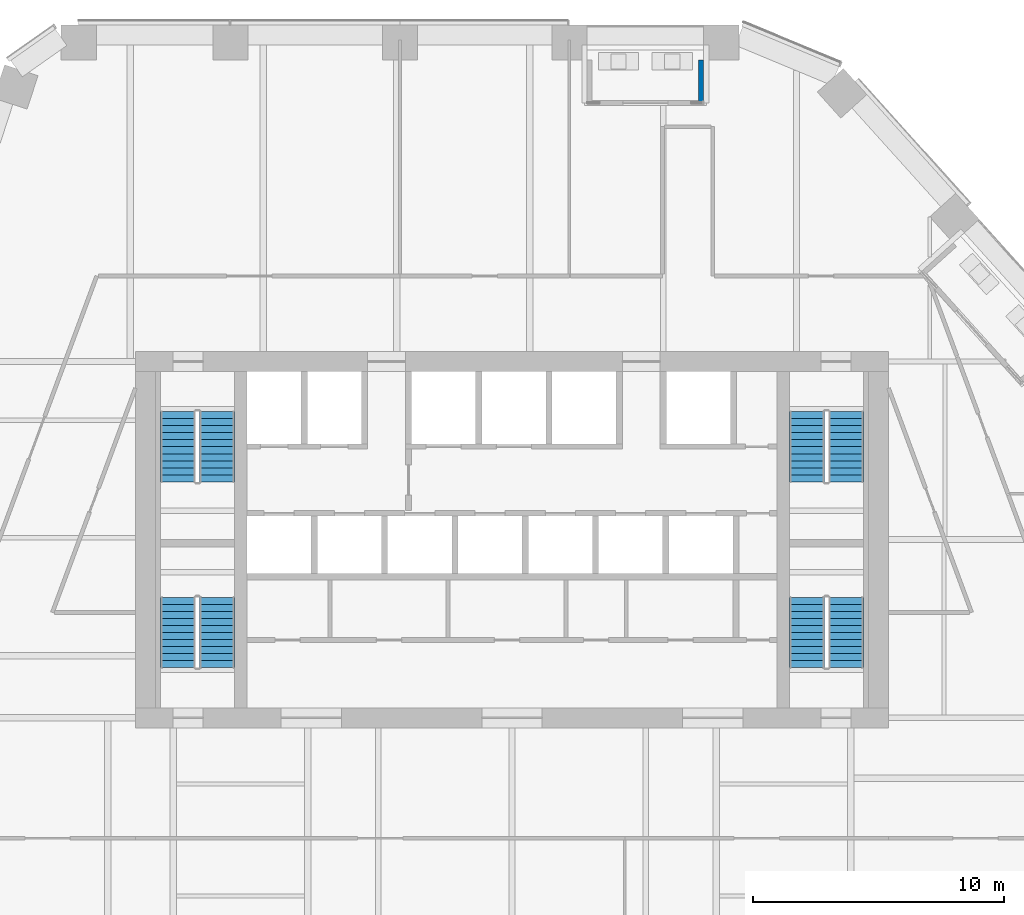
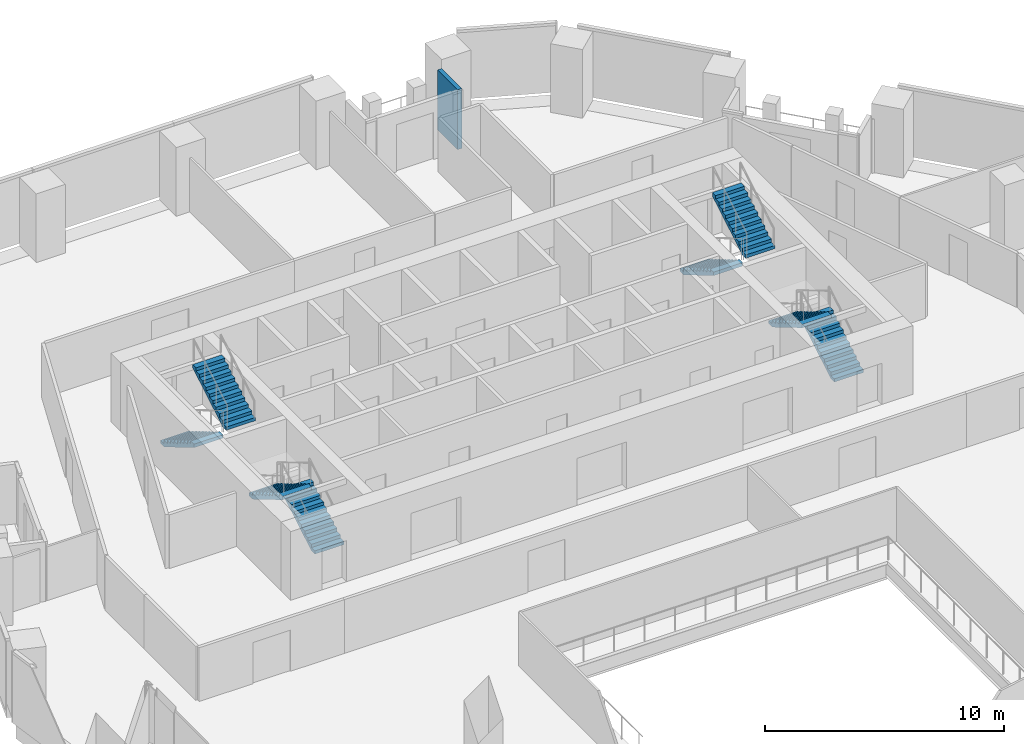
# One storey, part 20 of 24: 8 stair flights, 1 wall, 4 elements without a shape of their own.
"""IFC4 building model written with IfcOpenShell, lengths in metres."""

from ifc_helpers import new_model, si_unit, direction, frame, frame_2d, origin, place, context, subcontext, project, spatial, polyline, rectangle, outline, extrude, material, layer, layer_set, type_object, element, aggregate, save


model = new_model("IFC4")

# Units and contexts
model_context = context("Model", 3, precision=1e-05, world=origin(), true_north=direction((0.0, 1.0)))
body_context = subcontext(model_context, "Body", "Model", "MODEL_VIEW")
ifc_project = project(units=[si_unit("LENGTHUNIT", "METRE"), si_unit("AREAUNIT", "SQUARE_METRE"), si_unit("VOLUMEUNIT", "CUBIC_METRE"), si_unit("PLANEANGLEUNIT", "RADIAN"), si_unit("MASSUNIT", "GRAM", prefix="KILO")], contexts=[model_context])

# Site, building, storey
site_placement = place(None, origin())
site = spatial("IfcSite", under=ifc_project, at=site_placement, CompositionType="ELEMENT")
building_placement = place(site_placement, origin())
building = spatial("IfcBuilding", under=site, at=building_placement, Name="Isthmus Gate Tower", CompositionType="ELEMENT")
storey_placement = place(building_placement, frame((0.0, 0.0, 159.0)))
storey = spatial("IfcBuildingStorey", under=building, at=storey_placement, Name="L39", CompositionType="ELEMENT", Elevation=159.0)

# Wall
ifc_material_1 = material(Name="Precast concrete C40/50", Category="concrete")
ifc_layer = layer(ifc_material_1, 0.199951171875)
ifc_layer_set = layer_set([ifc_layer], Name="LOGGIA WALL 200")
wall_type = type_object("IfcWallType", Name="LOGGIA WALL 200", PredefinedType="SOLIDWALL", material=ifc_layer_set)
wall_placement = place(storey_placement, frame((7.53857421875, 26.60009765625, 0.0), z_axis=(0.0, 0.0, 1.0), x_axis=(0.0, -1.0, 0.0)))
element("IfcWall", 1, at=wall_placement, inside=storey, type_object=wall_type, Name="LOGGIA SIDE WALL", PredefinedType="SOLIDWALL", context=body_context, shape_type="SweptSolid", body=[
    extrude(rectangle(XDim=1.68408203125, YDim=0.199951171875, at=frame_2d((0.842041015625, 0.0))), origin(), (0.0, 0.0, 1.0), 3.050048828125),
])

# Stair, stair flights
ifc_material_2 = material(Name="Concrete f'c 40 MPa", Category="concrete")
stair_type = type_object("IfcStairType", Name="CORE STAIR 22 RISERS", PredefinedType="HALF_TURN_STAIR", material=ifc_material_2)
stair_1_placement = place(storey_placement, origin())
stair_1 = element("IfcStair", 2, at=stair_1_placement, inside=storey, type_object=stair_type, Name="L39 Exit Stair 1", PredefinedType="HALF_TURN_STAIR")
ifc_material_3 = material(Name="Concrete f'c 40 MPa", Category="concrete")
stair_flight_type = type_object("IfcStairFlightType", Name="STAIR FLIGHT RC 1400", PredefinedType="STRAIGHT", material=ifc_material_3)
stair_flight_1_placement = place(storey_placement, frame((-13.300048828125, 12.60009765625, 0.0), z_axis=(0.0, 0.0, 1.0), x_axis=(0.0, -1.0, 0.0)))
stair_flight_1 = element("IfcStairFlight", 3, at=stair_flight_1_placement, type_object=stair_flight_type, Name="ST1 flight 1", NumberOfRisers=11, NumberOfTreads=10, PredefinedType="STRAIGHT", RiserHeight=0.165909091, TreadLength=0.28, context=body_context, shape_type="SweptSolid", body=[
    extrude(outline(polyline([(0.0, 0.0), (0.0, 0.166015625), (0.280029296875, 0.166015625), (0.280029296875, 0.331787109375), (0.56005859375, 0.331787109375), (0.56005859375, 0.497802734375), (0.840087890625, 0.497802734375), (0.840087890625, 0.66357421875), (1.1201171875, 0.66357421875), (1.1201171875, 0.82958984375), (1.39990234375, 0.82958984375), (1.39990234375, 0.995361328125), (1.679931640625, 0.995361328125), (1.679931640625, 1.161376953125), (1.9599609375, 1.161376953125), (1.9599609375, 1.327392578125), (2.239990234375, 1.327392578125), (2.239990234375, 1.4931640625), (2.52001953125, 1.4931640625), (2.52001953125, 1.6591796875), (2.800048828125, 1.6591796875), (2.800048828125, 1.824951171875), (2.800048828125, 1.48486328125), (0.2939453125, 0.0), (0.0, 0.0)])), frame((0.0, 0.699951171875, 0.0), z_axis=(0.0, -1.0, 0.0), x_axis=(1.0, 0.0, 0.0)), (0.0, 0.0, 1.0), 1.39990234375),
])
stair_flight_2_placement = place(storey_placement, frame((-11.75, 9.800048828125, 1.824951171875), z_axis=(0.0, 0.0, 1.0), x_axis=(0.0, 1.0, 0.0)))
stair_flight_2 = element("IfcStairFlight", 4, at=stair_flight_2_placement, type_object=stair_flight_type, Name="ST1 flight 2", NumberOfRisers=11, NumberOfTreads=10, PredefinedType="STRAIGHT", RiserHeight=0.165909091, TreadLength=0.28, context=body_context, shape_type="SweptSolid", body=[
    extrude(outline(polyline([(0.0, 0.0), (0.0, 0.166015625), (0.280029296875, 0.166015625), (0.280029296875, 0.331787109375), (0.56005859375, 0.331787109375), (0.56005859375, 0.497802734375), (0.840087890625, 0.497802734375), (0.840087890625, 0.66357421875), (1.1201171875, 0.66357421875), (1.1201171875, 0.82958984375), (1.39990234375, 0.82958984375), (1.39990234375, 0.995361328125), (1.679931640625, 0.995361328125), (1.679931640625, 1.161376953125), (1.9599609375, 1.161376953125), (1.9599609375, 1.327392578125), (2.239990234375, 1.327392578125), (2.239990234375, 1.4931640625), (2.52001953125, 1.4931640625), (2.52001953125, 1.6591796875), (2.800048828125, 1.6591796875), (2.800048828125, 1.824951171875), (2.800048828125, 1.48486328125), (0.2939453125, 0.0), (0.0, 0.0)])), frame((0.0, 0.699951171875, 0.0), z_axis=(0.0, -1.0, 0.0), x_axis=(1.0, 0.0, 0.0)), (0.0, 0.0, 1.0), 1.39990234375),
])
aggregate(stair_1, [stair_flight_1, stair_flight_2])

stair_2_placement = place(storey_placement, origin())
stair_2 = element("IfcStair", 5, at=stair_2_placement, inside=storey, type_object=stair_type, Name="L39 Exit Stair 2", PredefinedType="HALF_TURN_STAIR")
stair_flight_3_placement = place(storey_placement, frame((11.75, 12.60009765625, 0.0), z_axis=(0.0, 0.0, 1.0), x_axis=(0.0, -1.0, 0.0)))
stair_flight_3 = element("IfcStairFlight", 6, at=stair_flight_3_placement, type_object=stair_flight_type, Name="ST2 flight 1", NumberOfRisers=11, NumberOfTreads=10, PredefinedType="STRAIGHT", RiserHeight=0.165909091, TreadLength=0.28, context=body_context, shape_type="SweptSolid", body=[
    extrude(outline(polyline([(0.0, 0.0), (0.0, 0.166015625), (0.280029296875, 0.166015625), (0.280029296875, 0.331787109375), (0.56005859375, 0.331787109375), (0.56005859375, 0.497802734375), (0.840087890625, 0.497802734375), (0.840087890625, 0.66357421875), (1.1201171875, 0.66357421875), (1.1201171875, 0.82958984375), (1.39990234375, 0.82958984375), (1.39990234375, 0.995361328125), (1.679931640625, 0.995361328125), (1.679931640625, 1.161376953125), (1.9599609375, 1.161376953125), (1.9599609375, 1.327392578125), (2.239990234375, 1.327392578125), (2.239990234375, 1.4931640625), (2.52001953125, 1.4931640625), (2.52001953125, 1.6591796875), (2.800048828125, 1.6591796875), (2.800048828125, 1.824951171875), (2.800048828125, 1.48486328125), (0.2939453125, 0.0), (0.0, 0.0)])), frame((0.0, 0.699951171875, 0.0), z_axis=(0.0, -1.0, 0.0), x_axis=(1.0, 0.0, 0.0)), (0.0, 0.0, 1.0), 1.39990234375),
])
stair_flight_4_placement = place(storey_placement, frame((13.300048828125, 9.800048828125, 1.824951171875), z_axis=(0.0, 0.0, 1.0), x_axis=(0.0, 1.0, 0.0)))
stair_flight_4 = element("IfcStairFlight", 7, at=stair_flight_4_placement, type_object=stair_flight_type, Name="ST2 flight 2", NumberOfRisers=11, NumberOfTreads=10, PredefinedType="STRAIGHT", RiserHeight=0.165909091, TreadLength=0.28, context=body_context, shape_type="SweptSolid", body=[
    extrude(outline(polyline([(0.0, 0.0), (0.0, 0.166015625), (0.280029296875, 0.166015625), (0.280029296875, 0.331787109375), (0.56005859375, 0.331787109375), (0.56005859375, 0.497802734375), (0.840087890625, 0.497802734375), (0.840087890625, 0.66357421875), (1.1201171875, 0.66357421875), (1.1201171875, 0.82958984375), (1.39990234375, 0.82958984375), (1.39990234375, 0.995361328125), (1.679931640625, 0.995361328125), (1.679931640625, 1.161376953125), (1.9599609375, 1.161376953125), (1.9599609375, 1.327392578125), (2.239990234375, 1.327392578125), (2.239990234375, 1.4931640625), (2.52001953125, 1.4931640625), (2.52001953125, 1.6591796875), (2.800048828125, 1.6591796875), (2.800048828125, 1.824951171875), (2.800048828125, 1.48486328125), (0.2939453125, 0.0), (0.0, 0.0)])), frame((0.0, 0.699951171875, 0.0), z_axis=(0.0, -1.0, 0.0), x_axis=(1.0, 0.0, 0.0)), (0.0, 0.0, 1.0), 1.39990234375),
])
aggregate(stair_2, [stair_flight_3, stair_flight_4])

stair_3_placement = place(storey_placement, origin())
stair_3 = element("IfcStair", 8, at=stair_3_placement, inside=storey, type_object=stair_type, Name="L39 Exit Stair 7", PredefinedType="HALF_TURN_STAIR")
stair_flight_5_placement = place(storey_placement, frame((-11.75, 2.39990234375, 0.0), z_axis=(0.0, 0.0, 1.0), x_axis=(0.0, 1.0, 0.0)))
stair_flight_5 = element("IfcStairFlight", 9, at=stair_flight_5_placement, type_object=stair_flight_type, Name="ST7 flight 1", NumberOfRisers=11, NumberOfTreads=10, PredefinedType="STRAIGHT", RiserHeight=0.165909091, TreadLength=0.28, context=body_context, shape_type="SweptSolid", body=[
    extrude(outline(polyline([(0.0, 0.0), (0.0, 0.166015625), (0.280029296875, 0.166015625), (0.280029296875, 0.331787109375), (0.56005859375, 0.331787109375), (0.56005859375, 0.497802734375), (0.840087890625, 0.497802734375), (0.840087890625, 0.66357421875), (1.1201171875, 0.66357421875), (1.1201171875, 0.82958984375), (1.39990234375, 0.82958984375), (1.39990234375, 0.995361328125), (1.679931640625, 0.995361328125), (1.679931640625, 1.161376953125), (1.9599609375, 1.161376953125), (1.9599609375, 1.327392578125), (2.239990234375, 1.327392578125), (2.239990234375, 1.4931640625), (2.52001953125, 1.4931640625), (2.52001953125, 1.6591796875), (2.800048828125, 1.6591796875), (2.800048828125, 1.824951171875), (2.800048828125, 1.48486328125), (0.2939453125, 0.0), (0.0, 0.0)])), frame((0.0, 0.699951171875, 0.0), z_axis=(0.0, -1.0, 0.0), x_axis=(1.0, 0.0, 0.0)), (0.0, 0.0, 1.0), 1.39990234375),
])
stair_flight_6_placement = place(storey_placement, frame((-13.300048828125, 5.199951171875, 1.824951171875), z_axis=(0.0, 0.0, 1.0), x_axis=(0.0, -1.0, 0.0)))
stair_flight_6 = element("IfcStairFlight", 10, at=stair_flight_6_placement, type_object=stair_flight_type, Name="ST7 flight 2", NumberOfRisers=11, NumberOfTreads=10, PredefinedType="STRAIGHT", RiserHeight=0.165909091, TreadLength=0.28, context=body_context, shape_type="SweptSolid", body=[
    extrude(outline(polyline([(0.0, 0.0), (0.0, 0.166015625), (0.280029296875, 0.166015625), (0.280029296875, 0.331787109375), (0.56005859375, 0.331787109375), (0.56005859375, 0.497802734375), (0.840087890625, 0.497802734375), (0.840087890625, 0.66357421875), (1.1201171875, 0.66357421875), (1.1201171875, 0.82958984375), (1.39990234375, 0.82958984375), (1.39990234375, 0.995361328125), (1.679931640625, 0.995361328125), (1.679931640625, 1.161376953125), (1.9599609375, 1.161376953125), (1.9599609375, 1.327392578125), (2.239990234375, 1.327392578125), (2.239990234375, 1.4931640625), (2.52001953125, 1.4931640625), (2.52001953125, 1.6591796875), (2.800048828125, 1.6591796875), (2.800048828125, 1.824951171875), (2.800048828125, 1.48486328125), (0.2939453125, 0.0), (0.0, 0.0)])), frame((0.0, 0.699951171875, 0.0), z_axis=(0.0, -1.0, 0.0), x_axis=(1.0, 0.0, 0.0)), (0.0, 0.0, 1.0), 1.39990234375),
])
aggregate(stair_3, [stair_flight_5, stair_flight_6])

stair_4_placement = place(storey_placement, origin())
stair_4 = element("IfcStair", 11, at=stair_4_placement, inside=storey, type_object=stair_type, Name="L39 Exit Stair 8", PredefinedType="HALF_TURN_STAIR")
stair_flight_7_placement = place(storey_placement, frame((13.300048828125, 2.39990234375, 0.0), z_axis=(0.0, 0.0, 1.0), x_axis=(0.0, 1.0, 0.0)))
stair_flight_7 = element("IfcStairFlight", 12, at=stair_flight_7_placement, type_object=stair_flight_type, Name="ST8 flight 1", NumberOfRisers=11, NumberOfTreads=10, PredefinedType="STRAIGHT", RiserHeight=0.165909091, TreadLength=0.28, context=body_context, shape_type="SweptSolid", body=[
    extrude(outline(polyline([(0.0, 0.0), (0.0, 0.166015625), (0.280029296875, 0.166015625), (0.280029296875, 0.331787109375), (0.56005859375, 0.331787109375), (0.56005859375, 0.497802734375), (0.840087890625, 0.497802734375), (0.840087890625, 0.66357421875), (1.1201171875, 0.66357421875), (1.1201171875, 0.82958984375), (1.39990234375, 0.82958984375), (1.39990234375, 0.995361328125), (1.679931640625, 0.995361328125), (1.679931640625, 1.161376953125), (1.9599609375, 1.161376953125), (1.9599609375, 1.327392578125), (2.239990234375, 1.327392578125), (2.239990234375, 1.4931640625), (2.52001953125, 1.4931640625), (2.52001953125, 1.6591796875), (2.800048828125, 1.6591796875), (2.800048828125, 1.824951171875), (2.800048828125, 1.48486328125), (0.2939453125, 0.0), (0.0, 0.0)])), frame((0.0, 0.699951171875, 0.0), z_axis=(0.0, -1.0, 0.0), x_axis=(1.0, 0.0, 0.0)), (0.0, 0.0, 1.0), 1.39990234375),
])
stair_flight_8_placement = place(storey_placement, frame((11.75, 5.199951171875, 1.824951171875), z_axis=(0.0, 0.0, 1.0), x_axis=(0.0, -1.0, 0.0)))
stair_flight_8 = element("IfcStairFlight", 13, at=stair_flight_8_placement, type_object=stair_flight_type, Name="ST8 flight 2", NumberOfRisers=11, NumberOfTreads=10, PredefinedType="STRAIGHT", RiserHeight=0.165909091, TreadLength=0.28, context=body_context, shape_type="SweptSolid", body=[
    extrude(outline(polyline([(0.0, 0.0), (0.0, 0.166015625), (0.280029296875, 0.166015625), (0.280029296875, 0.331787109375), (0.56005859375, 0.331787109375), (0.56005859375, 0.497802734375), (0.840087890625, 0.497802734375), (0.840087890625, 0.66357421875), (1.1201171875, 0.66357421875), (1.1201171875, 0.82958984375), (1.39990234375, 0.82958984375), (1.39990234375, 0.995361328125), (1.679931640625, 0.995361328125), (1.679931640625, 1.161376953125), (1.9599609375, 1.161376953125), (1.9599609375, 1.327392578125), (2.239990234375, 1.327392578125), (2.239990234375, 1.4931640625), (2.52001953125, 1.4931640625), (2.52001953125, 1.6591796875), (2.800048828125, 1.6591796875), (2.800048828125, 1.824951171875), (2.800048828125, 1.48486328125), (0.2939453125, 0.0), (0.0, 0.0)])), frame((0.0, 0.699951171875, 0.0), z_axis=(0.0, -1.0, 0.0), x_axis=(1.0, 0.0, 0.0)), (0.0, 0.0, 1.0), 1.39990234375),
])
aggregate(stair_4, [stair_flight_7, stair_flight_8])

save(model, "model.ifc")
